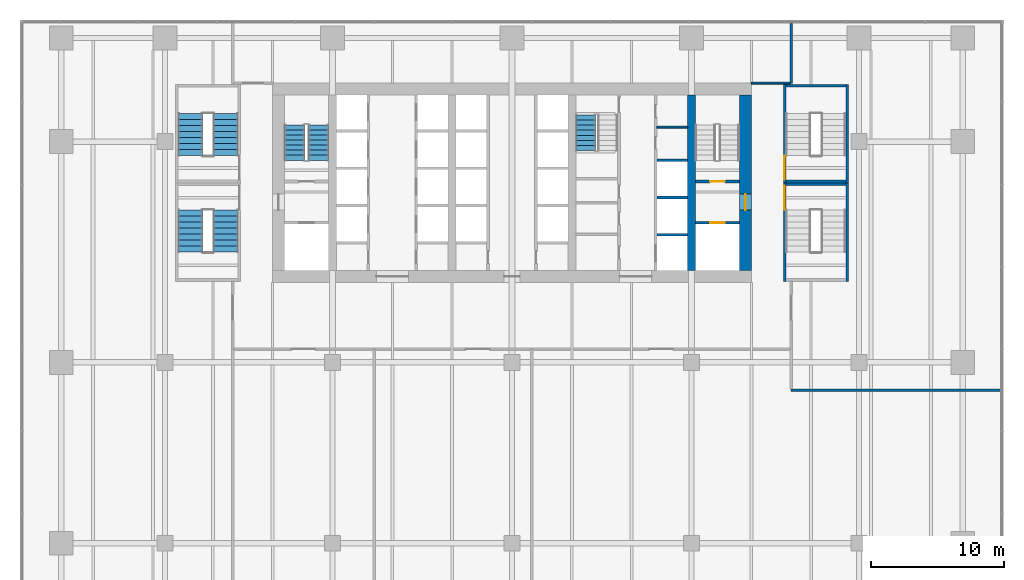
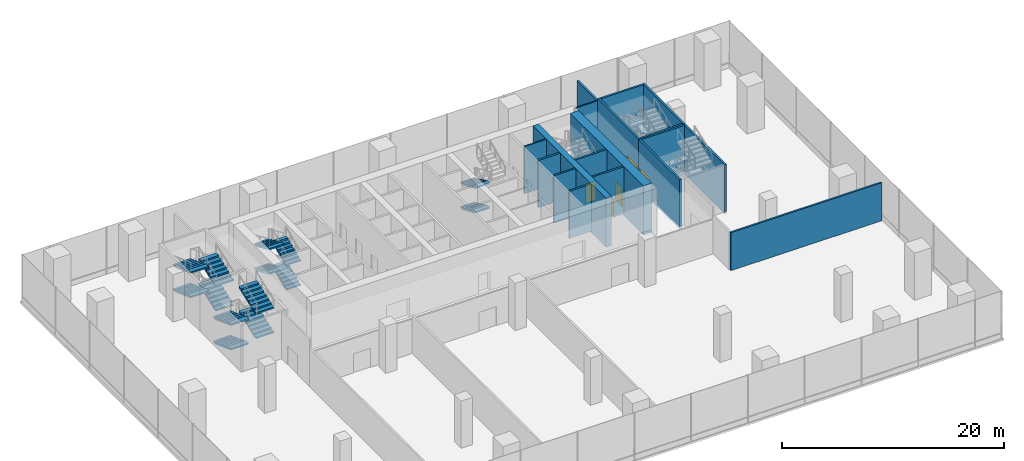
# One storey, part 21 of 26: 18 walls, 14 stair flights, 5 doors, 5 openings, 4 elements without a shape of their own.
"""IFC4 building model written with IfcOpenShell, lengths in metres."""

from ifc_helpers import new_model, si_unit, direction, frame, frame_2d, origin, place, context, subcontext, project, spatial, polyline, rectangle, outline, extrude, material, layer, layer_set, type_object, element, fill, aggregate, save


model = new_model("IFC4")

# Units and contexts
model_context = context("Model", 3, precision=1e-05, world=origin(), true_north=direction((0.0, 1.0)))
body_context = subcontext(model_context, "Body", "Model", "MODEL_VIEW")
ifc_project = project(units=[si_unit("LENGTHUNIT", "METRE"), si_unit("AREAUNIT", "SQUARE_METRE"), si_unit("VOLUMEUNIT", "CUBIC_METRE"), si_unit("PLANEANGLEUNIT", "RADIAN"), si_unit("MASSUNIT", "GRAM", prefix="KILO")], contexts=[model_context])

# Site, building, storey
site_placement = place(None, origin())
site = spatial("IfcSite", under=ifc_project, at=site_placement, CompositionType="ELEMENT")
building_placement = place(site_placement, origin())
building = spatial("IfcBuilding", under=site, at=building_placement, Name="Rattan Terrace Tower", CompositionType="ELEMENT")
storey_placement = place(building_placement, frame((0.0, 0.0, 7.199951171875)))
storey = spatial("IfcBuildingStorey", under=building, at=storey_placement, Name="L01", CompositionType="ELEMENT", Elevation=7.199951171875)

# Wall
ifc_material_1 = material(Name="Gypsum board partition")
ifc_layer_1 = layer(ifc_material_1, 0.14990234375)
ifc_layer_set_1 = layer_set([ifc_layer_1], Name="Core partition 150")
wall_type_1 = type_object("IfcWallType", Name="Core partition 150", PredefinedType="PARTITIONING", material=ifc_layer_set_1)
wall_1_placement = place(storey_placement, frame((10.89990234375, 4.199951171875, 0.0), z_axis=(0.0, 0.0, 1.0), x_axis=(1.0, 0.0, 0.0)))
element("IfcWall", 1, at=wall_1_placement, inside=storey, type_object=wall_type_1, Name="Riser room wall", PredefinedType="PARTITIONING", context=body_context, shape_type="SweptSolid", body=[
    extrude(rectangle(XDim=2.300048828125, YDim=0.14990234375, at=frame_2d((1.14990234375, 0.0))), origin(), (0.0, 0.0, 1.0), 5.199951171875),
])

# Wall, opening, door
ifc_material_2 = material(Name="Gypsum board partition")
ifc_layer_2 = layer(ifc_material_2, 0.199951171875)
ifc_layer_set_2 = layer_set([ifc_layer_2], Name="Core partition 200")
wall_type_2 = type_object("IfcWallType", Name="Core partition 200", PredefinedType="PARTITIONING", material=ifc_layer_set_2)
wall_2_placement = place(storey_placement, frame((13.800048828125, -3.0, 0.0), z_axis=(0.0, 0.0, 1.0), x_axis=(1.0, 0.0, 0.0)))
wall_2 = element("IfcWall", 2, at=wall_2_placement, inside=storey, type_object=wall_type_2, Name="Fire-fighting lobby wall", PredefinedType="PARTITIONING", context=body_context, shape_type="SweptSolid", body=[
    extrude(rectangle(XDim=3.300048828125, YDim=0.199951171875, at=frame_2d((1.64990234375, 0.0))), origin(), (0.0, 0.0, 1.0), 5.199951171875),
])
opening_1_placement = place(wall_2_placement, frame((1.10009765625, 0.0, 0.0)))
opening_1 = element("IfcOpeningElement", 3, at=opening_1_placement, cuts=wall_2, Name="Opening L01-LD-FF2", PredefinedType="OPENING", context=body_context, shape_type="SweptSolid", body=[
    extrude(rectangle(XDim=1.10009765625, YDim=2.10009765625, at=frame_2d((0.550048828125, 1.050048828125))), frame((0.0, 0.110595703125, 0.0), z_axis=(0.0, -1.0, 0.0), x_axis=(1.0, 0.0, 0.0)), (0.0, 0.0, 1.0), 0.220947265625),
])
ifc_material_3 = material(Name="Brushed stainless landing door panel")
door_type_1 = type_object("IfcDoorType", Name="Core lift landing door 1100", OperationType="DOUBLE_DOOR_SLIDING", PredefinedType="DOOR", material=ifc_material_3)
door_1_placement = place(opening_1_placement, origin())
door_1 = element("IfcDoor", 4, at=door_1_placement, inside=storey, type_object=door_type_1, Name="Door L01-LD-FF2", OperationType="DOUBLE_DOOR_SLIDING", OverallHeight=2.10009765625, OverallWidth=1.10009765625, PredefinedType="DOOR", context=body_context, shape_type="SweptSolid", body=[
    extrude(rectangle(XDim=1.10009765625, YDim=2.10009765625, at=frame_2d((0.550048828125, 1.050048828125))), frame((0.0, 0.02490234375, 0.0), z_axis=(0.0, -1.0, 0.0), x_axis=(1.0, 0.0, 0.0)), (0.0, 0.0, 1.0), 0.050048828125),
])
fill(opening_1, door_1)

wall_3_placement = place(storey_placement, frame((13.800048828125, 0.10009765625, 0.0), z_axis=(0.0, 0.0, 1.0), x_axis=(1.0, 0.0, 0.0)))
wall_3 = element("IfcWall", 5, at=wall_3_placement, inside=storey, type_object=wall_type_2, Name="Stair enclosure wall", PredefinedType="PARTITIONING", context=body_context, shape_type="SweptSolid", body=[
    extrude(rectangle(XDim=3.300048828125, YDim=0.199951171875, at=frame_2d((1.64990234375, 0.0))), origin(), (0.0, 0.0, 1.0), 5.199951171875),
])
opening_2_placement = place(wall_3_placement, frame((1.10009765625, 0.0, 0.0)))
opening_2 = element("IfcOpeningElement", 6, at=opening_2_placement, cuts=wall_3, Name="Opening L01-D004", PredefinedType="OPENING", context=body_context, shape_type="SweptSolid", body=[
    extrude(rectangle(XDim=1.10009765625, YDim=2.10009765625, at=frame_2d((0.550048828125, 1.050048828125))), frame((0.0, 0.110595703125, 0.0), z_axis=(0.0, -1.0, 0.0), x_axis=(1.0, 0.0, 0.0)), (0.0, 0.0, 1.0), 0.220947265625),
])
ifc_material_4 = material(Name="Hollow-metal fire door leaf")
door_type_2 = type_object("IfcDoorType", Name="Core stair door 1100", OperationType="NOTDEFINED", PredefinedType="DOOR", material=ifc_material_4)
door_2_placement = place(opening_2_placement, origin())
door_2 = element("IfcDoor", 7, at=door_2_placement, inside=storey, type_object=door_type_2, Name="Door L01-D004", OperationType="SINGLE_SWING_LEFT", OverallHeight=2.10009765625, OverallWidth=1.10009765625, PredefinedType="DOOR", context=body_context, shape_type="SweptSolid", body=[
    extrude(rectangle(XDim=1.10009765625, YDim=2.10009765625, at=frame_2d((0.550048828125, 1.050048828125))), frame((0.0, 0.02490234375, 0.0), z_axis=(0.0, -1.0, 0.0), x_axis=(1.0, 0.0, 0.0)), (0.0, 0.0, 1.0), 0.050048828125),
])
fill(opening_2, door_2)

ifc_material_5 = material(Name="Concrete C70/85", Category="concrete")
ifc_layer_3 = layer(ifc_material_5, 0.89990234375)
ifc_layer_set_3 = layer_set([ifc_layer_3], Name="Core ring wall 900 C70/85")
wall_type_3 = type_object("IfcWallType", Name="Core ring wall 900 C70/85", PredefinedType="SHEAR", material=ifc_layer_set_3)
wall_4_placement = place(storey_placement, frame((17.550048828125, -6.60009765625, -0.199951171875), z_axis=(0.0, 0.0, 1.0), x_axis=(0.0, 1.0, 0.0)))
wall_4 = element("IfcWall", 8, at=wall_4_placement, inside=storey, type_object=wall_type_3, Name="Rear core wall east", PredefinedType="SHEAR", context=body_context, shape_type="SweptSolid", body=[
    extrude(rectangle(XDim=13.2001953125, YDim=0.89990234375, at=frame_2d((6.60009765625, 0.0))), origin(), (0.0, 0.0, 1.0), 5.39990234375),
])
opening_3_placement = place(wall_4_placement, frame((4.550048828125, 0.0, 0.199951171875)))
opening_3 = element("IfcOpeningElement", 9, at=opening_3_placement, cuts=wall_4, Name="Opening L01-D003", PredefinedType="OPENING", context=body_context, shape_type="SweptSolid", body=[
    extrude(rectangle(XDim=1.199951171875, YDim=2.10009765625, at=frame_2d((0.60009765625, 1.050048828125))), frame((0.0, 0.46044921875, 0.0), z_axis=(0.0, -1.0, 0.0), x_axis=(1.0, 0.0, 0.0)), (0.0, 0.0, 1.0), 0.9208984375),
])
ifc_material_6 = material(Name="Hollow-metal fire door leaf")
door_type_3 = type_object("IfcDoorType", Name="Core fire-fighting lobby door 1200", OperationType="NOTDEFINED", PredefinedType="DOOR", material=ifc_material_6)
door_3_placement = place(opening_3_placement, origin())
door_3 = element("IfcDoor", 10, at=door_3_placement, inside=storey, type_object=door_type_3, Name="Door L01-D003", OperationType="SINGLE_SWING_RIGHT", OverallHeight=2.10009765625, OverallWidth=1.199951171875, PredefinedType="DOOR", context=body_context, shape_type="SweptSolid", body=[
    extrude(rectangle(XDim=1.199951171875, YDim=2.10009765625, at=frame_2d((0.60009765625, 1.050048828125))), frame((0.0, 0.02490234375, 0.0), z_axis=(0.0, -1.0, 0.0), x_axis=(1.0, 0.0, 0.0)), (0.0, 0.0, 1.0), 0.050048828125),
])
fill(opening_3, door_3)

# Walls
ifc_material_7 = material(Name="Concrete C70/85", Category="concrete")
ifc_layer_4 = layer(ifc_material_7, 0.60009765625)
ifc_layer_set_4 = layer_set([ifc_layer_4], Name="Core spine wall 600 C70/85")
wall_type_4 = type_object("IfcWallType", Name="Core spine wall 600 C70/85", PredefinedType="SHEAR", material=ifc_layer_set_4)
wall_5_placement = place(storey_placement, frame((13.5, -6.60009765625, -0.199951171875), z_axis=(0.0, 0.0, 1.0), x_axis=(0.0, 1.0, 0.0)))
element("IfcWall", 11, at=wall_5_placement, inside=storey, type_object=wall_type_4, Name="Core spine wall 4", PredefinedType="SHEAR", context=body_context, shape_type="SweptSolid", body=[
    extrude(rectangle(XDim=13.2001953125, YDim=0.60009765625, at=frame_2d((6.60009765625, 0.0))), origin(), (0.0, 0.0, 1.0), 5.39990234375),
])
ifc_material_8 = material(Name="Double steel stud acoustic partition, gypsum board, mineral wool, fire rated", Category="steel")
ifc_layer_5 = layer(ifc_material_8, 0.179931640625)
ifc_layer_set_5 = layer_set([ifc_layer_5], Name="Floors Acoustic Party Wall 180")
wall_type_5 = type_object("IfcWallType", Name="Floors Acoustic Party Wall 180", PredefinedType="PARTITIONING", material=ifc_layer_set_5)
wall_6_placement = place(storey_placement, frame((21.0, -15.593994140625, 0.0), z_axis=(0.0, 0.0, 1.0), x_axis=(1.0, 0.0, 0.0)))
element("IfcWall", 12, at=wall_6_placement, inside=storey, type_object=wall_type_5, Name="pt-L01-013", PredefinedType="PARTITIONING", context=body_context, shape_type="SweptSolid", body=[
    extrude(rectangle(XDim=15.739990234375, YDim=0.179931640625, at=frame_2d((7.8701171875, 0.0))), origin(), (0.0, 0.0, 1.0), 4.199951171875),
])
wall_7_placement = place(storey_placement, frame((21.0, 7.47998046875, 0.0), z_axis=(0.0, 0.0, 1.0), x_axis=(0.0, 1.0, 0.0)))
element("IfcWall", 13, at=wall_7_placement, inside=storey, type_object=wall_type_5, Name="pt-L01-014", PredefinedType="PARTITIONING", context=body_context, shape_type="SweptSolid", body=[
    extrude(rectangle(XDim=4.510009765625, YDim=0.179931640625, at=frame_2d((2.2548828125, 0.0))), origin(), (0.0, 0.0, 1.0), 4.199951171875),
])
ifc_material_9 = material(Name="Gypsum board partition on steel studs, fire rated", Category="steel")
ifc_layer_6 = layer(ifc_material_9, 0.14990234375)
ifc_layer_set_6 = layer_set([ifc_layer_6], Name="Floors Tenancy Wall 150")
wall_type_6 = type_object("IfcWallType", Name="Floors Tenancy Wall 150", PredefinedType="PARTITIONING", material=ifc_layer_set_6)
wall_8_placement = place(storey_placement, frame((18.0, 7.4990234375, 0.0), z_axis=(0.0, 0.0, 1.0), x_axis=(1.0, 0.0, 0.0)))
element("IfcWall", 14, at=wall_8_placement, inside=storey, type_object=wall_type_6, Name="pt-L01-007", PredefinedType="PARTITIONING", context=body_context, shape_type="SweptSolid", body=[
    extrude(rectangle(XDim=2.909912109375, YDim=0.14990234375, at=frame_2d((1.455078125, 0.0))), origin(), (0.0, 0.0, 1.0), 4.900146484375),
])
ifc_material_10 = material(Name="Gypsum shaft wall system")
ifc_layer_7 = layer(ifc_material_10, 0.199951171875)
ifc_layer_set_7 = layer_set([ifc_layer_7], Name="Lift shaft wall 200")
wall_type_7 = type_object("IfcWallType", Name="Lift shaft wall 200", PredefinedType="PARTITIONING", material=ifc_layer_set_7)
for number, where, z_axis, x_axis, name in (
    (15, (10.89990234375, -3.89990234375, 0.0), (0.0, 0.0, 1.0), (1.0, 0.0, 0.0), "Lift shaft wall"),
    (16, (10.89990234375, -1.10009765625, 0.0), (0.0, 0.0, 1.0), (1.0, 0.0, 0.0), "Lift shaft wall"),
    (17, (10.89990234375, 1.699951171875, 0.0), (0.0, 0.0, 1.0), (1.0, 0.0, 0.0), "Lift shaft wall"),
):
    element("IfcWall", number, at=place(storey_placement, frame(where, z_axis=z_axis, x_axis=x_axis)), inside=storey, type_object=wall_type_7, Name=name, PredefinedType="PARTITIONING", context=body_context, shape_type="SweptSolid", body=[
        extrude(rectangle(XDim=2.300048828125, YDim=0.199951171875, at=frame_2d((1.14990234375, 0.0))), origin(), (0.0, 0.0, 1.0), 5.199951171875),
    ])

# Wall, opening, door
ifc_material_11 = material(Name="Concrete C40/50", Category="concrete")
ifc_layer_8 = layer(ifc_material_11, 0.199951171875)
ifc_layer_set_8 = layer_set([ifc_layer_8], Name="Podium exit stair shaft wall 200")
wall_type_8 = type_object("IfcWallType", Name="Podium exit stair shaft wall 200", PredefinedType="SHEAR", material=ifc_layer_set_8)
wall_9_placement = place(storey_placement, frame((20.5, -7.39990234375, -0.199951171875), z_axis=(0.0, 0.0, 1.0), x_axis=(0.0, 1.0, 0.0)))
wall_9 = element("IfcWall", 18, at=wall_9_placement, inside=storey, type_object=wall_type_8, Name="L01 stair S6 shaft wall", PredefinedType="SHEAR", context=body_context, shape_type="SweptSolid", body=[
    extrude(rectangle(XDim=7.39990234375, YDim=0.199951171875, at=frame_2d((3.699951171875, 0.0))), origin(), (0.0, 0.0, 1.0), 5.39990234375),
])
opening_4_placement = place(wall_9_placement, frame((5.375, 0.0, 0.199951171875)))
opening_4 = element("IfcOpeningElement", 19, at=opening_4_placement, cuts=wall_9, Name="Opening L01-D903", PredefinedType="OPENING", context=body_context, shape_type="SweptSolid", body=[
    extrude(rectangle(XDim=1.800048828125, YDim=2.10009765625, at=frame_2d((0.89990234375, 1.050048828125))), frame((0.0, 0.110595703125, 0.0), z_axis=(0.0, -1.0, 0.0), x_axis=(1.0, 0.0, 0.0)), (0.0, 0.0, 1.0), 0.220947265625),
])
ifc_material_12 = material(Name="Hollow-metal fire door leaf")
door_type_4 = type_object("IfcDoorType", Name="Podium exit stair door pair 1800", OperationType="DOUBLE_DOOR_SINGLE_SWING", PredefinedType="DOOR", material=ifc_material_12)
door_4_placement = place(opening_4_placement, origin())
door_4 = element("IfcDoor", 20, at=door_4_placement, inside=storey, type_object=door_type_4, Name="Door L01-D903", OperationType="DOUBLE_DOOR_SINGLE_SWING", OverallHeight=2.10009765625, OverallWidth=1.800048828125, PredefinedType="DOOR", context=body_context, shape_type="SweptSolid", body=[
    extrude(rectangle(XDim=1.800048828125, YDim=2.10009765625, at=frame_2d((0.89990234375, 1.050048828125))), frame((0.0, 0.02490234375, 0.0), z_axis=(0.0, -1.0, 0.0), x_axis=(1.0, 0.0, 0.0)), (0.0, 0.0, 1.0), 0.050048828125),
])
fill(opening_4, door_4)

# Walls
wall_10_placement = place(storey_placement, frame((25.199951171875, -7.39990234375, -0.199951171875), z_axis=(0.0, 0.0, 1.0), x_axis=(0.0, 1.0, 0.0)))
element("IfcWall", 21, at=wall_10_placement, inside=storey, type_object=wall_type_8, Name="L01 stair S6 shaft wall", PredefinedType="SHEAR", context=body_context, shape_type="SweptSolid", body=[
    extrude(rectangle(XDim=7.39990234375, YDim=0.199951171875, at=frame_2d((3.699951171875, 0.0))), origin(), (0.0, 0.0, 1.0), 5.39990234375),
])
wall_11_placement = place(storey_placement, frame((20.60009765625, -0.10009765625, -0.199951171875), z_axis=(0.0, 0.0, 1.0), x_axis=(1.0, 0.0, 0.0)))
element("IfcWall", 22, at=wall_11_placement, inside=storey, type_object=wall_type_8, Name="L01 stair S6 shaft wall", PredefinedType="SHEAR", context=body_context, shape_type="SweptSolid", body=[
    extrude(rectangle(XDim=4.5, YDim=0.199951171875, at=frame_2d((2.25, 0.0))), origin(), (0.0, 0.0, 1.0), 5.39990234375),
])

# Wall, opening, door
wall_12_placement = place(storey_placement, frame((20.5, 0.0, -0.199951171875), z_axis=(0.0, 0.0, 1.0), x_axis=(0.0, 1.0, 0.0)))
wall_12 = element("IfcWall", 23, at=wall_12_placement, inside=storey, type_object=wall_type_8, Name="L01 stair S7 shaft wall", PredefinedType="SHEAR", context=body_context, shape_type="SweptSolid", body=[
    extrude(rectangle(XDim=7.39990234375, YDim=0.199951171875, at=frame_2d((3.699951171875, 0.0))), origin(), (0.0, 0.0, 1.0), 5.39990234375),
])
opening_5_placement = place(wall_12_placement, frame((0.22509765625, 0.0, 0.199951171875)))
opening_5 = element("IfcOpeningElement", 24, at=opening_5_placement, cuts=wall_12, Name="Opening L01-D904", PredefinedType="OPENING", context=body_context, shape_type="SweptSolid", body=[
    extrude(rectangle(XDim=1.800048828125, YDim=2.10009765625, at=frame_2d((0.89990234375, 1.050048828125))), frame((0.0, 0.110595703125, 0.0), z_axis=(0.0, -1.0, 0.0), x_axis=(1.0, 0.0, 0.0)), (0.0, 0.0, 1.0), 0.220947265625),
])
door_5_placement = place(opening_5_placement, origin())
door_5 = element("IfcDoor", 25, at=door_5_placement, inside=storey, type_object=door_type_4, Name="Door L01-D904", OperationType="DOUBLE_DOOR_SINGLE_SWING", OverallHeight=2.10009765625, OverallWidth=1.800048828125, PredefinedType="DOOR", context=body_context, shape_type="SweptSolid", body=[
    extrude(rectangle(XDim=1.800048828125, YDim=2.10009765625, at=frame_2d((0.89990234375, 1.050048828125))), frame((0.0, 0.02490234375, 0.0), z_axis=(0.0, -1.0, 0.0), x_axis=(1.0, 0.0, 0.0)), (0.0, 0.0, 1.0), 0.050048828125),
])
fill(opening_5, door_5)

# Walls
wall_13_placement = place(storey_placement, frame((25.199951171875, 0.0, -0.199951171875), z_axis=(0.0, 0.0, 1.0), x_axis=(0.0, 1.0, 0.0)))
element("IfcWall", 26, at=wall_13_placement, inside=storey, type_object=wall_type_8, Name="L01 stair S7 shaft wall", PredefinedType="SHEAR", context=body_context, shape_type="SweptSolid", body=[
    extrude(rectangle(XDim=7.39990234375, YDim=0.199951171875, at=frame_2d((3.699951171875, 0.0))), origin(), (0.0, 0.0, 1.0), 5.39990234375),
])
for number, where, z_axis, x_axis, name in (
    (27, (20.60009765625, 7.300048828125, -0.199951171875), (0.0, 0.0, 1.0), (1.0, 0.0, 0.0), "L01 stair S7 shaft wall"),
    (28, (20.60009765625, 0.10009765625, -0.199951171875), (0.0, 0.0, 1.0), (1.0, 0.0, 0.0), "L01 stair S7 shaft wall"),
):
    element("IfcWall", number, at=place(storey_placement, frame(where, z_axis=z_axis, x_axis=x_axis)), inside=storey, type_object=wall_type_8, Name=name, PredefinedType="SHEAR", context=body_context, shape_type="SweptSolid", body=[
        extrude(rectangle(XDim=4.5, YDim=0.199951171875, at=frame_2d((2.25, 0.0))), origin(), (0.0, 0.0, 1.0), 5.39990234375),
    ])

# Stair, stair flights
ifc_material_13 = material(Name="Concrete C40/50", Category="concrete")
stair_type_1 = type_object("IfcStairType", Name="Core exit stair 1500", PredefinedType="HALF_TURN_STAIR", material=ifc_material_13)
stair_1_placement = place(storey_placement, origin())
stair_1 = element("IfcStair", 29, at=stair_1_placement, inside=storey, type_object=stair_type_1, Name="L01 exit stair 1", PredefinedType="HALF_TURN_STAIR")
ifc_material_14 = material(Name="Concrete C40/50", Category="concrete")
stair_flight_type_1 = type_object("IfcStairFlightType", Name="Core exit stair flight 1500", PredefinedType="STRAIGHT", material=ifc_material_14)
stair_flight_1_placement = place(storey_placement, frame((-14.550048828125, 1.699951171875, 0.0), z_axis=(0.0, 0.0, 1.0), x_axis=(0.0, 1.0, 0.0)))
stair_flight_1 = element("IfcStairFlight", 30, at=stair_flight_1_placement, type_object=stair_flight_type_1, Name="S1 flight 1", NumberOfRisers=8, NumberOfTreads=7, PredefinedType="STRAIGHT", RiserHeight=0.16875, TreadLength=0.38, context=body_context, shape_type="SweptSolid", body=[
    extrude(outline(polyline([(0.0, 0.0), (0.0, 0.168701171875), (0.3798828125, 0.168701171875), (0.3798828125, 0.33740234375), (0.760009765625, 0.33740234375), (0.760009765625, 0.50634765625), (1.139892578125, 0.50634765625), (1.139892578125, 0.675048828125), (1.52001953125, 0.675048828125), (1.52001953125, 0.84375), (1.89990234375, 0.84375), (1.89990234375, 1.012451171875), (2.280029296875, 1.012451171875), (2.280029296875, 1.18115234375), (2.659912109375, 1.18115234375), (2.659912109375, 1.35009765625), (2.659912109375, 1.017333984375), (0.369384765625, 0.0), (0.0, 0.0)])), frame((0.0, 0.75, 0.0), z_axis=(0.0, -1.0, 0.0), x_axis=(1.0, 0.0, 0.0)), (0.0, 0.0, 1.0), 1.5),
])
stair_flight_2_placement = place(storey_placement, frame((-16.35009765625, 4.360107421875, 1.35009765625), z_axis=(0.0, 0.0, 1.0), x_axis=(0.0, -1.0, 0.0)))
stair_flight_2 = element("IfcStairFlight", 31, at=stair_flight_2_placement, type_object=stair_flight_type_1, Name="S1 flight 2", NumberOfRisers=8, NumberOfTreads=7, PredefinedType="STRAIGHT", RiserHeight=0.16875, TreadLength=0.38, context=body_context, shape_type="SweptSolid", body=[
    extrude(outline(polyline([(0.0, 0.0), (0.0, 0.168701171875), (0.3798828125, 0.168701171875), (0.3798828125, 0.33740234375), (0.760009765625, 0.33740234375), (0.760009765625, 0.50634765625), (1.139892578125, 0.50634765625), (1.139892578125, 0.675048828125), (1.52001953125, 0.675048828125), (1.52001953125, 0.84375), (1.89990234375, 0.84375), (1.89990234375, 1.012451171875), (2.280029296875, 1.012451171875), (2.280029296875, 1.18115234375), (2.659912109375, 1.18115234375), (2.659912109375, 1.35009765625), (2.659912109375, 1.017333984375), (0.369384765625, 0.0), (0.0, 0.0)])), frame((0.0, 0.75, 0.0), z_axis=(0.0, -1.0, 0.0), x_axis=(1.0, 0.0, 0.0)), (0.0, 0.0, 1.0), 1.5),
])
stair_flight_3_placement = place(storey_placement, frame((-14.550048828125, 1.699951171875, 2.699951171875), z_axis=(0.0, 0.0, 1.0), x_axis=(0.0, 1.0, 0.0)))
stair_flight_3 = element("IfcStairFlight", 32, at=stair_flight_3_placement, type_object=stair_flight_type_1, Name="S1 flight 3", NumberOfRisers=8, NumberOfTreads=7, PredefinedType="STRAIGHT", RiserHeight=0.16875, TreadLength=0.38, context=body_context, shape_type="SweptSolid", body=[
    extrude(outline(polyline([(0.0, 0.0), (0.0, 0.168701171875), (0.3798828125, 0.168701171875), (0.3798828125, 0.33740234375), (0.760009765625, 0.33740234375), (0.760009765625, 0.50634765625), (1.139892578125, 0.50634765625), (1.139892578125, 0.675048828125), (1.52001953125, 0.675048828125), (1.52001953125, 0.84375), (1.89990234375, 0.84375), (1.89990234375, 1.012451171875), (2.280029296875, 1.012451171875), (2.280029296875, 1.18115234375), (2.659912109375, 1.18115234375), (2.659912109375, 1.35009765625), (2.659912109375, 1.017333984375), (0.369384765625, 0.0), (0.0, 0.0)])), frame((0.0, 0.75, 0.0), z_axis=(0.0, -1.0, 0.0), x_axis=(1.0, 0.0, 0.0)), (0.0, 0.0, 1.0), 1.5),
])
stair_flight_4_placement = place(storey_placement, frame((-16.35009765625, 4.360107421875, 4.050048828125), z_axis=(0.0, 0.0, 1.0), x_axis=(0.0, -1.0, 0.0)))
stair_flight_4 = element("IfcStairFlight", 33, at=stair_flight_4_placement, type_object=stair_flight_type_1, Name="S1 flight 4", NumberOfRisers=8, NumberOfTreads=7, PredefinedType="STRAIGHT", RiserHeight=0.16875, TreadLength=0.38, context=body_context, shape_type="SweptSolid", body=[
    extrude(outline(polyline([(0.0, 0.0), (0.0, 0.168701171875), (0.3798828125, 0.168701171875), (0.3798828125, 0.33740234375), (0.760009765625, 0.33740234375), (0.760009765625, 0.50634765625), (1.139892578125, 0.50634765625), (1.139892578125, 0.675048828125), (1.52001953125, 0.675048828125), (1.52001953125, 0.84375), (1.89990234375, 0.84375), (1.89990234375, 1.012451171875), (2.280029296875, 1.012451171875), (2.280029296875, 1.18115234375), (2.659912109375, 1.18115234375), (2.659912109375, 1.35009765625), (2.659912109375, 1.017333984375), (0.369384765625, 0.0), (0.0, 0.0)])), frame((0.0, 0.75, 0.0), z_axis=(0.0, -1.0, 0.0), x_axis=(1.0, 0.0, 0.0)), (0.0, 0.0, 1.0), 1.5),
])
aggregate(stair_1, [stair_flight_1, stair_flight_2, stair_flight_3, stair_flight_4])

stair_2_placement = place(storey_placement, origin())
stair_2 = element("IfcStair", 34, at=stair_2_placement, inside=storey, type_object=stair_type_1, Name="L01 exit stair 3", PredefinedType="HALF_TURN_STAIR")
stair_flight_5_placement = place(storey_placement, frame((5.550048828125, 5.10009765625, 0.0), z_axis=(0.0, 0.0, 1.0), x_axis=(0.0, -1.0, 0.0)))
stair_flight_5 = element("IfcStairFlight", 35, at=stair_flight_5_placement, type_object=stair_flight_type_1, Name="S3 flight 1", NumberOfRisers=8, NumberOfTreads=7, PredefinedType="STRAIGHT", RiserHeight=0.16875, TreadLength=0.38, context=body_context, shape_type="SweptSolid", body=[
    extrude(outline(polyline([(0.0, 0.0), (0.0, 0.168701171875), (0.3798828125, 0.168701171875), (0.3798828125, 0.33740234375), (0.760009765625, 0.33740234375), (0.760009765625, 0.50634765625), (1.139892578125, 0.50634765625), (1.139892578125, 0.675048828125), (1.52001953125, 0.675048828125), (1.52001953125, 0.84375), (1.89990234375, 0.84375), (1.89990234375, 1.012451171875), (2.280029296875, 1.012451171875), (2.280029296875, 1.18115234375), (2.659912109375, 1.18115234375), (2.659912109375, 1.35009765625), (2.659912109375, 1.017333984375), (0.369384765625, 0.0), (0.0, 0.0)])), frame((0.0, 0.75, 0.0), z_axis=(0.0, -1.0, 0.0), x_axis=(1.0, 0.0, 0.0)), (0.0, 0.0, 1.0), 1.5),
])
stair_flight_6_placement = place(storey_placement, frame((5.550048828125, 5.10009765625, 2.699951171875), z_axis=(0.0, 0.0, 1.0), x_axis=(0.0, -1.0, 0.0)))
stair_flight_6 = element("IfcStairFlight", 36, at=stair_flight_6_placement, type_object=stair_flight_type_1, Name="S3 flight 3", NumberOfRisers=8, NumberOfTreads=7, PredefinedType="STRAIGHT", RiserHeight=0.16875, TreadLength=0.38, context=body_context, shape_type="SweptSolid", body=[
    extrude(outline(polyline([(0.0, 0.0), (0.0, 0.168701171875), (0.3798828125, 0.168701171875), (0.3798828125, 0.33740234375), (0.760009765625, 0.33740234375), (0.760009765625, 0.50634765625), (1.139892578125, 0.50634765625), (1.139892578125, 0.675048828125), (1.52001953125, 0.675048828125), (1.52001953125, 0.84375), (1.89990234375, 0.84375), (1.89990234375, 1.012451171875), (2.280029296875, 1.012451171875), (2.280029296875, 1.18115234375), (2.659912109375, 1.18115234375), (2.659912109375, 1.35009765625), (2.659912109375, 1.017333984375), (0.369384765625, 0.0), (0.0, 0.0)])), frame((0.0, 0.75, 0.0), z_axis=(0.0, -1.0, 0.0), x_axis=(1.0, 0.0, 0.0)), (0.0, 0.0, 1.0), 1.5),
])
aggregate(stair_2, [stair_flight_5, stair_flight_6])

ifc_material_15 = material(Name="Concrete C40/50", Category="concrete")
stair_type_2 = type_object("IfcStairType", Name="Core exit stair 1850", PredefinedType="HALF_TURN_STAIR", material=ifc_material_15)
stair_3_placement = place(storey_placement, origin())
stair_3 = element("IfcStair", 37, at=stair_3_placement, inside=storey, type_object=stair_type_2, Name="L01 exit stair 4", PredefinedType="HALF_TURN_STAIR")
ifc_material_16 = material(Name="Concrete C40/50", Category="concrete")
stair_flight_type_2 = type_object("IfcStairFlightType", Name="Core exit stair flight 1850", PredefinedType="STRAIGHT", material=ifc_material_16)
stair_flight_7_placement = place(storey_placement, frame((-24.175048828125, -2.050048828125, 0.0), z_axis=(0.0, 0.0, 1.0), x_axis=(0.0, -1.0, 0.0)))
stair_flight_7 = element("IfcStairFlight", 38, at=stair_flight_7_placement, type_object=stair_flight_type_2, Name="S4 flight 1", NumberOfRisers=8, NumberOfTreads=7, PredefinedType="STRAIGHT", RiserHeight=0.16875, TreadLength=0.45, context=body_context, shape_type="SweptSolid", body=[
    extrude(outline(polyline([(0.0, 0.0), (0.0, 0.168701171875), (0.449951171875, 0.168701171875), (0.449951171875, 0.33740234375), (0.89990234375, 0.33740234375), (0.89990234375, 0.50634765625), (1.35009765625, 0.50634765625), (1.35009765625, 0.675048828125), (1.800048828125, 0.675048828125), (1.800048828125, 0.84375), (2.25, 0.84375), (2.25, 1.012451171875), (2.699951171875, 1.012451171875), (2.699951171875, 1.18115234375), (3.14990234375, 1.18115234375), (3.14990234375, 1.35009765625), (3.14990234375, 1.021240234375), (0.427001953125, 0.0), (0.0, 0.0)])), frame((0.0, 0.925048828125, 0.0), z_axis=(0.0, -1.0, 0.0), x_axis=(1.0, 0.0, 0.0)), (0.0, 0.0, 1.0), 1.85009765625),
])
stair_flight_8_placement = place(storey_placement, frame((-21.52490234375, -5.199951171875, 1.35009765625), z_axis=(0.0, 0.0, 1.0), x_axis=(0.0, 1.0, 0.0)))
stair_flight_8 = element("IfcStairFlight", 39, at=stair_flight_8_placement, type_object=stair_flight_type_2, Name="S4 flight 2", NumberOfRisers=8, NumberOfTreads=7, PredefinedType="STRAIGHT", RiserHeight=0.16875, TreadLength=0.45, context=body_context, shape_type="SweptSolid", body=[
    extrude(outline(polyline([(0.0, 0.0), (0.0, 0.168701171875), (0.449951171875, 0.168701171875), (0.449951171875, 0.33740234375), (0.89990234375, 0.33740234375), (0.89990234375, 0.50634765625), (1.35009765625, 0.50634765625), (1.35009765625, 0.675048828125), (1.800048828125, 0.675048828125), (1.800048828125, 0.84375), (2.25, 0.84375), (2.25, 1.012451171875), (2.699951171875, 1.012451171875), (2.699951171875, 1.18115234375), (3.14990234375, 1.18115234375), (3.14990234375, 1.35009765625), (3.14990234375, 1.021240234375), (0.427001953125, 0.0), (0.0, 0.0)])), frame((0.0, 0.925048828125, 0.0), z_axis=(0.0, -1.0, 0.0), x_axis=(1.0, 0.0, 0.0)), (0.0, 0.0, 1.0), 1.85009765625),
])
stair_flight_9_placement = place(storey_placement, frame((-24.175048828125, -2.050048828125, 2.699951171875), z_axis=(0.0, 0.0, 1.0), x_axis=(0.0, -1.0, 0.0)))
stair_flight_9 = element("IfcStairFlight", 40, at=stair_flight_9_placement, type_object=stair_flight_type_2, Name="S4 flight 3", NumberOfRisers=8, NumberOfTreads=7, PredefinedType="STRAIGHT", RiserHeight=0.16875, TreadLength=0.45, context=body_context, shape_type="SweptSolid", body=[
    extrude(outline(polyline([(0.0, 0.0), (0.0, 0.168701171875), (0.449951171875, 0.168701171875), (0.449951171875, 0.33740234375), (0.89990234375, 0.33740234375), (0.89990234375, 0.50634765625), (1.35009765625, 0.50634765625), (1.35009765625, 0.675048828125), (1.800048828125, 0.675048828125), (1.800048828125, 0.84375), (2.25, 0.84375), (2.25, 1.012451171875), (2.699951171875, 1.012451171875), (2.699951171875, 1.18115234375), (3.14990234375, 1.18115234375), (3.14990234375, 1.35009765625), (3.14990234375, 1.021240234375), (0.427001953125, 0.0), (0.0, 0.0)])), frame((0.0, 0.925048828125, 0.0), z_axis=(0.0, -1.0, 0.0), x_axis=(1.0, 0.0, 0.0)), (0.0, 0.0, 1.0), 1.85009765625),
])
stair_flight_10_placement = place(storey_placement, frame((-21.52490234375, -5.199951171875, 4.050048828125), z_axis=(0.0, 0.0, 1.0), x_axis=(0.0, 1.0, 0.0)))
stair_flight_10 = element("IfcStairFlight", 41, at=stair_flight_10_placement, type_object=stair_flight_type_2, Name="S4 flight 4", NumberOfRisers=8, NumberOfTreads=7, PredefinedType="STRAIGHT", RiserHeight=0.16875, TreadLength=0.45, context=body_context, shape_type="SweptSolid", body=[
    extrude(outline(polyline([(0.0, 0.0), (0.0, 0.168701171875), (0.449951171875, 0.168701171875), (0.449951171875, 0.33740234375), (0.89990234375, 0.33740234375), (0.89990234375, 0.50634765625), (1.35009765625, 0.50634765625), (1.35009765625, 0.675048828125), (1.800048828125, 0.675048828125), (1.800048828125, 0.84375), (2.25, 0.84375), (2.25, 1.012451171875), (2.699951171875, 1.012451171875), (2.699951171875, 1.18115234375), (3.14990234375, 1.18115234375), (3.14990234375, 1.35009765625), (3.14990234375, 1.021240234375), (0.427001953125, 0.0), (0.0, 0.0)])), frame((0.0, 0.925048828125, 0.0), z_axis=(0.0, -1.0, 0.0), x_axis=(1.0, 0.0, 0.0)), (0.0, 0.0, 1.0), 1.85009765625),
])
aggregate(stair_3, [stair_flight_7, stair_flight_8, stair_flight_9, stair_flight_10])

stair_4_placement = place(storey_placement, origin())
stair_4 = element("IfcStair", 42, at=stair_4_placement, inside=storey, type_object=stair_type_2, Name="L01 exit stair 5", PredefinedType="HALF_TURN_STAIR")
stair_flight_11_placement = place(storey_placement, frame((-21.52490234375, 2.050048828125, 0.0), z_axis=(0.0, 0.0, 1.0), x_axis=(0.0, 1.0, 0.0)))
stair_flight_11 = element("IfcStairFlight", 43, at=stair_flight_11_placement, type_object=stair_flight_type_2, Name="S5 flight 1", NumberOfRisers=8, NumberOfTreads=7, PredefinedType="STRAIGHT", RiserHeight=0.16875, TreadLength=0.45, context=body_context, shape_type="SweptSolid", body=[
    extrude(outline(polyline([(0.0, 0.0), (0.0, 0.168701171875), (0.449951171875, 0.168701171875), (0.449951171875, 0.33740234375), (0.89990234375, 0.33740234375), (0.89990234375, 0.50634765625), (1.35009765625, 0.50634765625), (1.35009765625, 0.675048828125), (1.800048828125, 0.675048828125), (1.800048828125, 0.84375), (2.25, 0.84375), (2.25, 1.012451171875), (2.699951171875, 1.012451171875), (2.699951171875, 1.18115234375), (3.14990234375, 1.18115234375), (3.14990234375, 1.35009765625), (3.14990234375, 1.021240234375), (0.427001953125, 0.0), (0.0, 0.0)])), frame((0.0, 0.925048828125, 0.0), z_axis=(0.0, -1.0, 0.0), x_axis=(1.0, 0.0, 0.0)), (0.0, 0.0, 1.0), 1.85009765625),
])
stair_flight_12_placement = place(storey_placement, frame((-24.175048828125, 5.199951171875, 1.35009765625), z_axis=(0.0, 0.0, 1.0), x_axis=(0.0, -1.0, 0.0)))
stair_flight_12 = element("IfcStairFlight", 44, at=stair_flight_12_placement, type_object=stair_flight_type_2, Name="S5 flight 2", NumberOfRisers=8, NumberOfTreads=7, PredefinedType="STRAIGHT", RiserHeight=0.16875, TreadLength=0.45, context=body_context, shape_type="SweptSolid", body=[
    extrude(outline(polyline([(0.0, 0.0), (0.0, 0.168701171875), (0.449951171875, 0.168701171875), (0.449951171875, 0.33740234375), (0.89990234375, 0.33740234375), (0.89990234375, 0.50634765625), (1.35009765625, 0.50634765625), (1.35009765625, 0.675048828125), (1.800048828125, 0.675048828125), (1.800048828125, 0.84375), (2.25, 0.84375), (2.25, 1.012451171875), (2.699951171875, 1.012451171875), (2.699951171875, 1.18115234375), (3.14990234375, 1.18115234375), (3.14990234375, 1.35009765625), (3.14990234375, 1.021240234375), (0.427001953125, 0.0), (0.0, 0.0)])), frame((0.0, 0.925048828125, 0.0), z_axis=(0.0, -1.0, 0.0), x_axis=(1.0, 0.0, 0.0)), (0.0, 0.0, 1.0), 1.85009765625),
])
stair_flight_13_placement = place(storey_placement, frame((-21.52490234375, 2.050048828125, 2.699951171875), z_axis=(0.0, 0.0, 1.0), x_axis=(0.0, 1.0, 0.0)))
stair_flight_13 = element("IfcStairFlight", 45, at=stair_flight_13_placement, type_object=stair_flight_type_2, Name="S5 flight 3", NumberOfRisers=8, NumberOfTreads=7, PredefinedType="STRAIGHT", RiserHeight=0.16875, TreadLength=0.45, context=body_context, shape_type="SweptSolid", body=[
    extrude(outline(polyline([(0.0, 0.0), (0.0, 0.168701171875), (0.449951171875, 0.168701171875), (0.449951171875, 0.33740234375), (0.89990234375, 0.33740234375), (0.89990234375, 0.50634765625), (1.35009765625, 0.50634765625), (1.35009765625, 0.675048828125), (1.800048828125, 0.675048828125), (1.800048828125, 0.84375), (2.25, 0.84375), (2.25, 1.012451171875), (2.699951171875, 1.012451171875), (2.699951171875, 1.18115234375), (3.14990234375, 1.18115234375), (3.14990234375, 1.35009765625), (3.14990234375, 1.021240234375), (0.427001953125, 0.0), (0.0, 0.0)])), frame((0.0, 0.925048828125, 0.0), z_axis=(0.0, -1.0, 0.0), x_axis=(1.0, 0.0, 0.0)), (0.0, 0.0, 1.0), 1.85009765625),
])
stair_flight_14_placement = place(storey_placement, frame((-24.175048828125, 5.199951171875, 4.050048828125), z_axis=(0.0, 0.0, 1.0), x_axis=(0.0, -1.0, 0.0)))
stair_flight_14 = element("IfcStairFlight", 46, at=stair_flight_14_placement, type_object=stair_flight_type_2, Name="S5 flight 4", NumberOfRisers=8, NumberOfTreads=7, PredefinedType="STRAIGHT", RiserHeight=0.16875, TreadLength=0.45, context=body_context, shape_type="SweptSolid", body=[
    extrude(outline(polyline([(0.0, 0.0), (0.0, 0.168701171875), (0.449951171875, 0.168701171875), (0.449951171875, 0.33740234375), (0.89990234375, 0.33740234375), (0.89990234375, 0.50634765625), (1.35009765625, 0.50634765625), (1.35009765625, 0.675048828125), (1.800048828125, 0.675048828125), (1.800048828125, 0.84375), (2.25, 0.84375), (2.25, 1.012451171875), (2.699951171875, 1.012451171875), (2.699951171875, 1.18115234375), (3.14990234375, 1.18115234375), (3.14990234375, 1.35009765625), (3.14990234375, 1.021240234375), (0.427001953125, 0.0), (0.0, 0.0)])), frame((0.0, 0.925048828125, 0.0), z_axis=(0.0, -1.0, 0.0), x_axis=(1.0, 0.0, 0.0)), (0.0, 0.0, 1.0), 1.85009765625),
])
aggregate(stair_4, [stair_flight_11, stair_flight_12, stair_flight_13, stair_flight_14])

save(model, "model.ifc")
